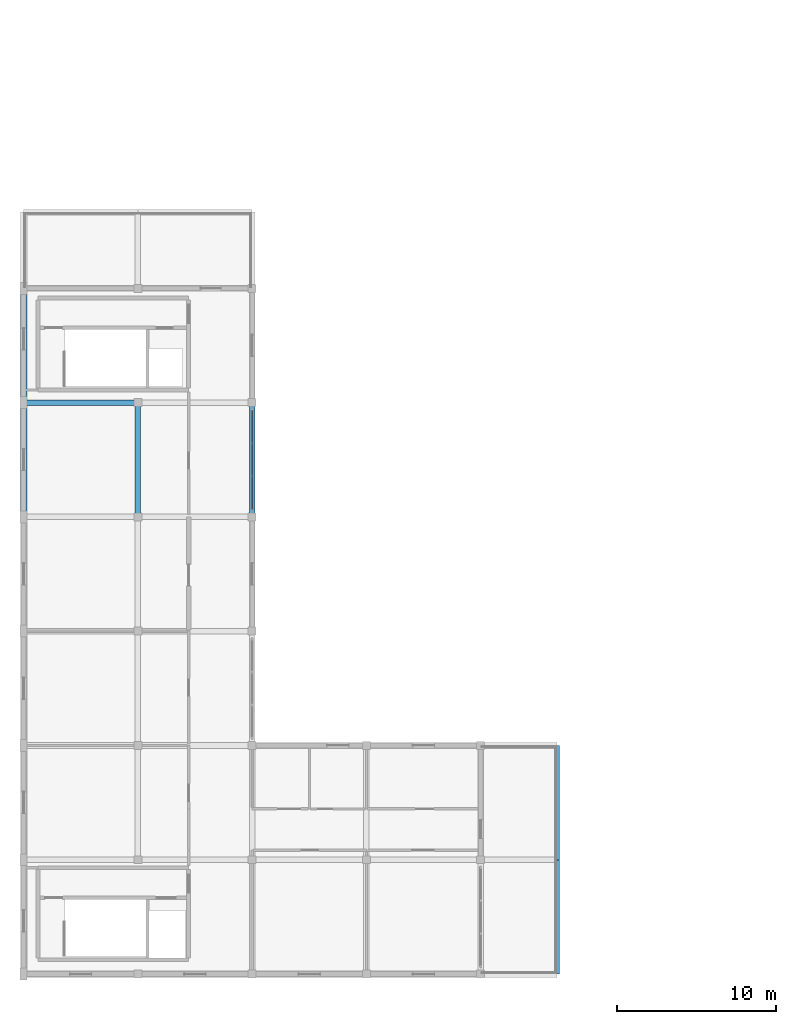
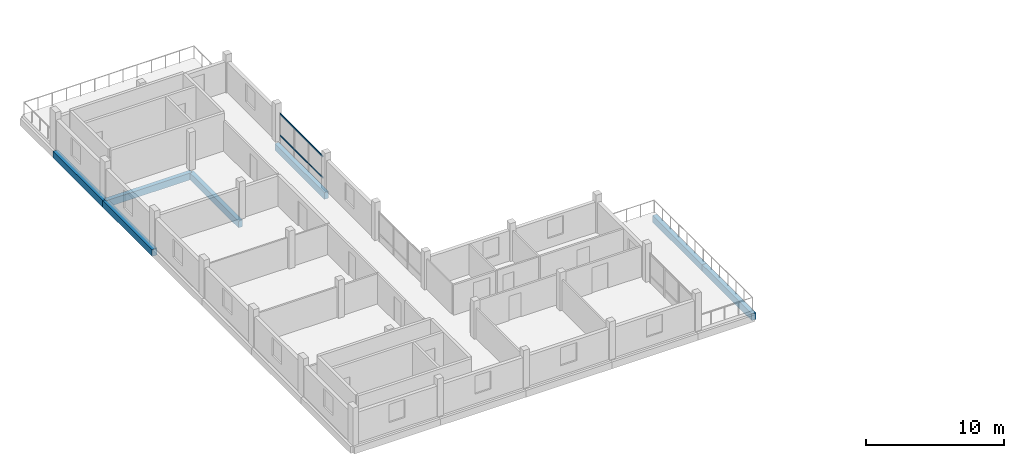
# One storey, part 9 of 18: 7 beams, 2 members, 1 element without a shape of its own.
"""IFC4 building model written with IfcOpenShell, lengths in metres."""

from ifc_helpers import new_model, si_unit, direction, frame, origin, origin_2d, place, context, subcontext, project, spatial, rectangle, hollow_rectangle, extrude, material, material_profile, profile_set, type_object, element, aggregate, save


model = new_model("IFC4")

# Units and contexts
model_context = context("Model", 3, precision=1e-05, world=origin(), true_north=direction((0.0, 1.0)))
body_context = subcontext(model_context, "Body", "Model", "MODEL_VIEW")
ifc_project = project(units=[si_unit("LENGTHUNIT", "METRE"), si_unit("AREAUNIT", "SQUARE_METRE"), si_unit("VOLUMEUNIT", "CUBIC_METRE"), si_unit("PLANEANGLEUNIT", "RADIAN"), si_unit("MASSUNIT", "GRAM", prefix="KILO")], contexts=[model_context])

# Site, building, storey
site_placement = place(None, origin())
site = spatial("IfcSite", under=ifc_project, at=site_placement, CompositionType="ELEMENT")
building_placement = place(site_placement, origin())
building = spatial("IfcBuilding", under=site, at=building_placement, Name="Zornivar Specialist Clinic", CompositionType="ELEMENT")
storey_placement = place(building_placement, frame((0.0, 0.0, 23.39990234375)))
storey = spatial("IfcBuildingStorey", under=building, at=storey_placement, Name="L06", CompositionType="ELEMENT", Elevation=23.39990234375)

# Beams
ifc_material_1 = material(Name="Concrete C30/37", Category="concrete")
ifc_material_profile_1 = material_profile(ifc_material_1, rectangle(XDim=0.35009765625, YDim=0.60009765625, at=origin_2d()), Name="RC 350x600")
ifc_profile_set_1 = profile_set([ifc_material_profile_1], Name="Concrete C30/37")
beam_type_1 = type_object("IfcBeamType", Name="BM-RC-350x600", PredefinedType="BEAM", material=ifc_profile_set_1)
for number, where, z_axis, x_axis, name in (
    (1, (0.0, 36.0, -0.579833984375), (1.0, 0.0, 0.0), (0.0, 1.0, 0.0), "bm:V2:L06:x:360:0"),
    (2, (7.199951171875, 28.800048828125, -0.579833984375), (0.0, 1.0, 0.0), (-1.0, 0.0, 0.0), "bm:V2:L06:y:72:4"),
    (3, (14.39990234375, 28.800048828125, -0.579833984375), (0.0, 1.0, 0.0), (-1.0, 0.0, 0.0), "bm:V2:L06:y:144:4"),
    (4, (33.60009765625, 0.0, -0.579833984375), (0.0, 1.0, 0.0), (-1.0, 0.0, 0.0), "bm:V2:L06:y:336:0"),
    (5, (33.60009765625, 7.199951171875, -0.579833984375), (0.0, 1.0, 0.0), (-1.0, 0.0, 0.0), "bm:V2:L06:y:336:1"),
):
    element("IfcBeam", number, at=place(storey_placement, frame(where, z_axis=z_axis, x_axis=x_axis)), inside=storey, type_object=beam_type_1, Name=name, PredefinedType="BEAM", context=body_context, shape_type="SweptSolid", body=[
        extrude(rectangle(XDim=0.35009765625, YDim=0.60009765625, at=origin_2d()), origin(), (0.0, 0.0, 1.0), 7.199951171875),
    ])
ifc_material_2 = material(Name="Concrete C30/37", Category="concrete")
ifc_material_profile_2 = material_profile(ifc_material_2, rectangle(XDim=0.409912109375, YDim=0.60009765625, at=origin_2d()), Name="RC 410x600")
ifc_profile_set_2 = profile_set([ifc_material_profile_2], Name="Concrete C30/37")
beam_type_2 = type_object("IfcBeamType", Name="BM-RC-SPANDREL-410x600", PredefinedType="SPANDREL", material=ifc_profile_set_2)
for number, where, z_axis, x_axis, name in (
    (6, (0.0, 28.800048828125, -0.579833984375), (0.0, 1.0, 0.0), (-1.0, 0.0, 0.0), "bm:V2:L06:y:0:4"),
    (7, (0.0, 36.0, -0.579833984375), (0.0, 1.0, 0.0), (-1.0, 0.0, 0.0), "bm:V2:L06:y:0:5"),
):
    element("IfcBeam", number, at=place(storey_placement, frame(where, z_axis=z_axis, x_axis=x_axis)), inside=storey, type_object=beam_type_2, Name=name, PredefinedType="SPANDREL", context=body_context, shape_type="SweptSolid", body=[
        extrude(rectangle(XDim=0.409912109375, YDim=0.60009765625, at=origin_2d()), origin(), (0.0, 0.0, 1.0), 7.199951171875),
    ])

# Curtain wall, members
ifc_material_3 = material(Name="Aluminium and Low-E Glass Curtain Wall", Category="aluminium")
curtain_wall_type = type_object("IfcCurtainWallType", Name="CW-REVAK-COURT", PredefinedType="NOTDEFINED", material=ifc_material_3)
curtain_wall_placement = place(storey_placement, origin())
curtain_wall = element("IfcCurtainWall", 8, at=curtain_wall_placement, inside=storey, type_object=curtain_wall_type, Name="cw:V2:L06:10", PredefinedType="NOTDEFINED")
ifc_material_4 = material(Name="Aluminium AW-6060", Category="aluminium")
ifc_material_profile_3 = material_profile(ifc_material_4, hollow_rectangle(XDim=0.06005859375, YDim=0.1298828125, WallThickness=0.00390625, at=origin_2d()), Name="ALU 60x130x4")
ifc_profile_set_3 = profile_set([ifc_material_profile_3], Name="Aluminium AW-6060")
member_type = type_object("IfcMemberType", Name="CWM-TRN-130", PredefinedType="USERDEFINED", material=ifc_profile_set_3)
member_1_placement = place(storey_placement, frame((14.39990234375, 29.280029296875, 0.689208984375), z_axis=(0.0, 1.0, 0.0), x_axis=(-1.0, 0.0, 0.0)))
member_1 = element("IfcMember", 9, at=member_1_placement, type_object=member_type, Name="cw:V2:L06:10:trn:0", ObjectType="TRANSOM", PredefinedType="USERDEFINED", context=body_context, shape_type="SweptSolid", body=[
    extrude(hollow_rectangle(XDim=0.06005859375, YDim=0.1298828125, WallThickness=0.00390625, at=origin_2d()), origin(), (0.0, 0.0, 1.0), 6.239990234375),
])
member_2_placement = place(storey_placement, frame((14.39990234375, 29.280029296875, 2.585205078125), z_axis=(0.0, 1.0, 0.0), x_axis=(-1.0, 0.0, 0.0)))
member_2 = element("IfcMember", 10, at=member_2_placement, type_object=member_type, Name="cw:V2:L06:10:trn:1", ObjectType="TRANSOM", PredefinedType="USERDEFINED", context=body_context, shape_type="SweptSolid", body=[
    extrude(hollow_rectangle(XDim=0.06005859375, YDim=0.1298828125, WallThickness=0.00390625, at=origin_2d()), origin(), (0.0, 0.0, 1.0), 6.239990234375),
])
aggregate(curtain_wall, [member_1, member_2])

save(model, "model.ifc")
